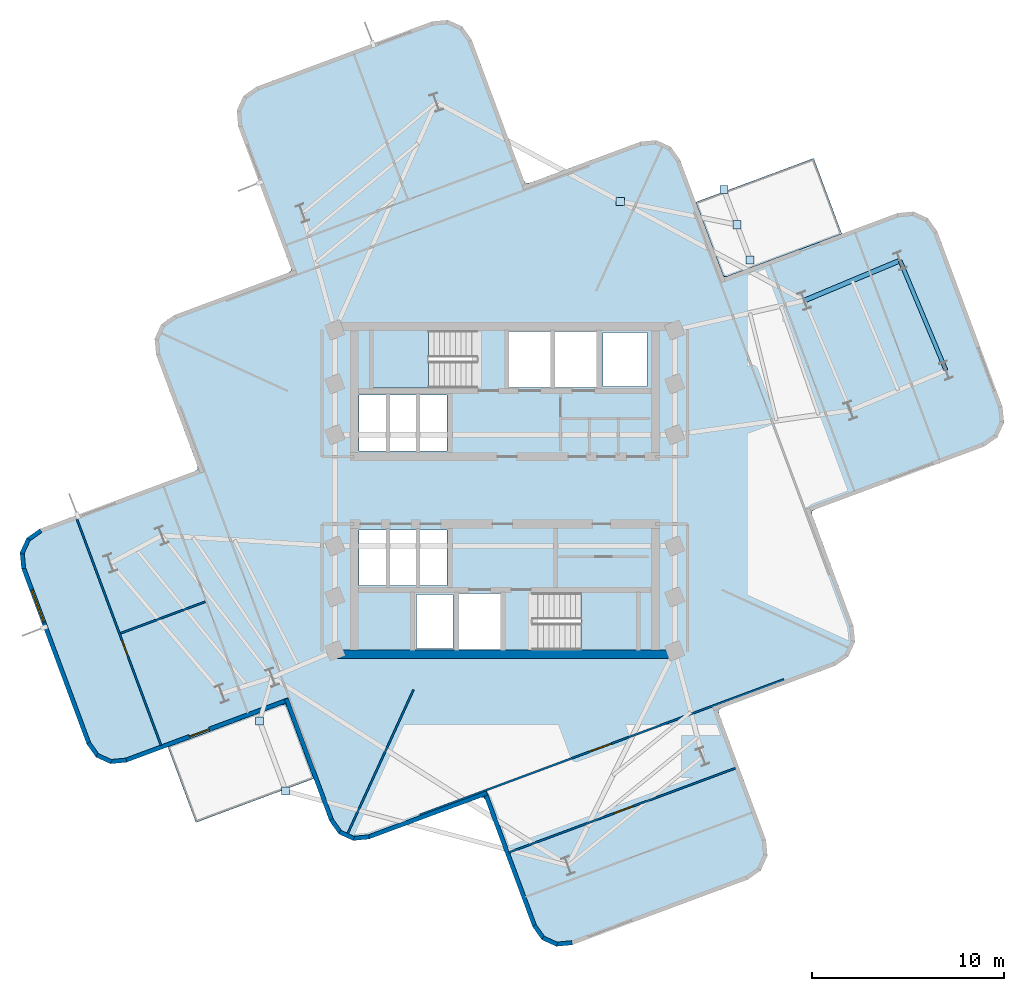
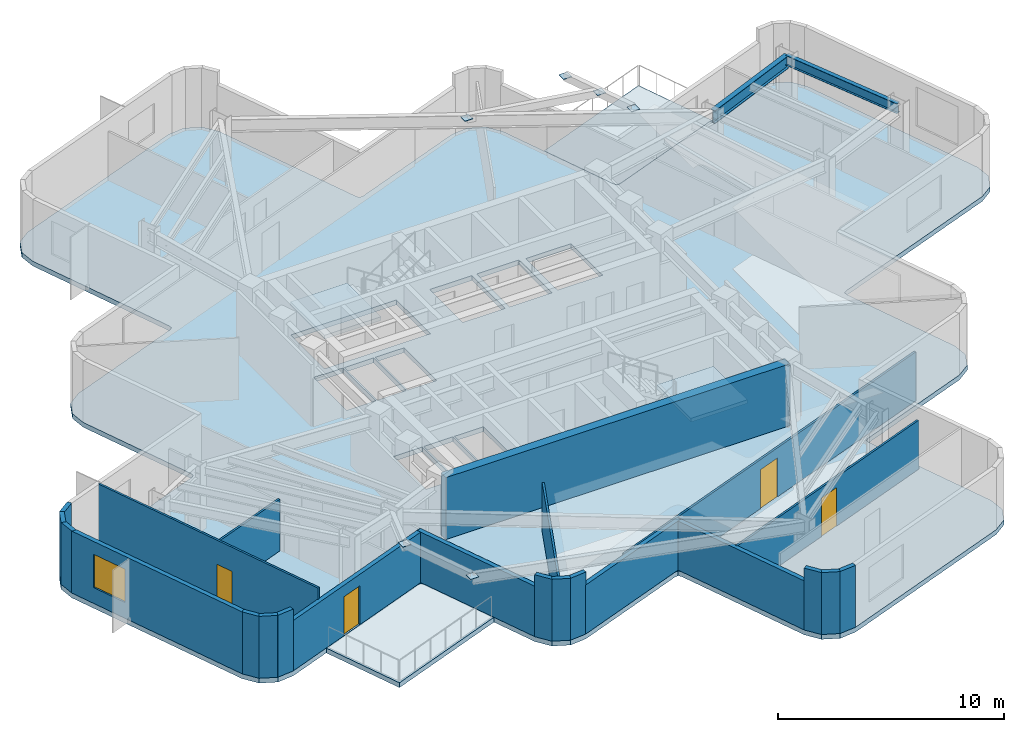
# One storey, part 2 of 8: 23 walls, 6 plates, 5 slabs, 4 doors, 2 beams, 1 window, 5 openings, 2 elements without a shape of their own.
"""IFC4 building model written with IfcOpenShell, lengths in metres."""

from ifc_helpers import new_model, si_unit, direction, frame, frame_2d, origin, origin_2d, place, context, subcontext, project, spatial, polyline, rectangle, i_section, outline, extrude, material, layer, layer_set, material_profile, profile_set, type_object, element, fill, aggregate, save


model = new_model("IFC4")

# Units and contexts
model_context = context("Model", 3, precision=1e-05, world=origin(), true_north=direction((0.0, 1.0)))
body_context = subcontext(model_context, "Body", "Model", "MODEL_VIEW")
ifc_project = project(units=[si_unit("LENGTHUNIT", "METRE"), si_unit("AREAUNIT", "SQUARE_METRE"), si_unit("VOLUMEUNIT", "CUBIC_METRE"), si_unit("PLANEANGLEUNIT", "RADIAN"), si_unit("MASSUNIT", "GRAM", prefix="KILO")], contexts=[model_context])

# Site, building, storey
site_placement = place(None, origin())
site = spatial("IfcSite", under=ifc_project, at=site_placement, CompositionType="ELEMENT")
building_placement = place(site_placement, origin())
building = spatial("IfcBuilding", under=site, at=building_placement, Name="Solmarez Civic Tower", CompositionType="ELEMENT")
storey_placement = place(building_placement, frame((0.0, 0.0, 166.679931640625)))
storey = spatial("IfcBuildingStorey", under=building, at=storey_placement, Name="L44", CompositionType="ELEMENT", Elevation=166.679931640625)

# Beams
ifc_material_1 = material(Name="Steel S355", Category="steel")
ifc_material_profile_1 = material_profile(ifc_material_1, i_section(OverallWidth=0.25390625, OverallDepth=0.68798828125, WebThickness=0.01318359375, FlangeThickness=0.02099609375, at=origin_2d()), Name="W27X102")
ifc_profile_set_1 = profile_set([ifc_material_profile_1], Name="Steel S355")
beam_type_1 = type_object("IfcBeamType", Name="BM-PR-W27X102", PredefinedType="BEAM", material=ifc_profile_set_1)
beam_1_placement = place(storey_placement, frame((15.593994140625, 9.883056640625, 2.99609375), z_axis=(0.922538326171, 0.385905476438, 0.0), x_axis=(-0.385905476438, 0.922538326171, 0.0)))
element("IfcBeam", 1, at=beam_1_placement, inside=storey, type_object=beam_type_1, Name="L44 Primary Floor Beam BM-L44-EA-R2B", PredefinedType="BEAM", context=body_context, shape_type="SweptSolid", body=[
    extrude(i_section(OverallWidth=0.25390625, OverallDepth=0.68798828125, WebThickness=0.01318359375, FlangeThickness=0.02099609375, at=origin_2d()), origin(), (0.0, 0.0, 1.0), 5.400146484375),
])
ifc_material_profile_2 = material_profile(ifc_material_1, i_section(OverallWidth=0.2109375, OverallDepth=0.5390625, WebThickness=0.01171875, FlangeThickness=0.018798828125, at=origin_2d()), Name="W21X73")
ifc_profile_set_2 = profile_set([ifc_material_profile_2], Name="Steel S355")
beam_type_2 = type_object("IfcBeamType", Name="BM-SP-W21X73", PredefinedType="SPANDREL", material=ifc_profile_set_2)
beam_2_placement = place(storey_placement, frame((22.968017578125, 6.248046875, 3.071044921875), z_axis=(-0.385876218946, 0.922550564279, 0.0), x_axis=(-0.922550564279, -0.385876218946, 0.0)))
element("IfcBeam", 2, at=beam_2_placement, inside=storey, type_object=beam_type_2, Name="L44 Perimeter Spandrel Beam BM-L44-EA-T2", PredefinedType="SPANDREL", context=body_context, shape_type="SweptSolid", body=[
    extrude(i_section(OverallWidth=0.2109375, OverallDepth=0.5390625, WebThickness=0.01171875, FlangeThickness=0.018798828125, at=origin_2d()), origin(), (0.0, 0.0, 1.0), 6.19921875),
])

# Plates
ifc_layer_1 = layer(ifc_material_1, 0.02392578125)
ifc_layer_set_1 = layer_set([ifc_layer_1], Name="Steel S355")
plate_type = type_object("IfcPlateType", Name="PLT-CAP-380", PredefinedType="USERDEFINED", material=ifc_layer_set_1)
for number, where, z_axis, x_axis, name in (
    (3, (12.76708984375, 12.0029296875, 3.128173828125), (0.0, 0.0, 1.0), (1.0, 0.0, 0.0), "Steel Member End Cap Plate CAP-BM-L44-BALC-NEE-0"),
    (4, (11.406982421875, 15.657958984375, 3.128173828125), (0.0, 0.0, 1.0), (1.0, 0.0, 0.0), "Steel Member End Cap Plate CAP-BM-L44-BALC-NEE-1"),
    (5, (6.011962890625, 15.044921875, 3.128173828125), (0.0, 0.0, 1.0), (1.0, 0.0, 0.0), "Steel Member End Cap Plate CAP-BM-L44-BALC-NEM-0"),
    (6, (12.0869140625, 13.8310546875, 3.128173828125), (0.0, 0.0, 1.0), (1.0, 0.0, 0.0), "Steel Member End Cap Plate CAP-BM-L44-BALC-NEM-1"),
    (7, (-12.76708984375, -12.0029296875, 3.128173828125), (0.0, 0.0, 1.0), (1.0, 0.0, 0.0), "Steel Member End Cap Plate CAP-BM-L44-BALC-SWE-0"),
    (8, (-11.406982421875, -15.657958984375, 3.128173828125), (0.0, 0.0, 1.0), (1.0, 0.0, 0.0), "Steel Member End Cap Plate CAP-BM-L44-BALC-SWE-1"),
):
    element("IfcPlate", number, at=place(storey_placement, frame(where, z_axis=z_axis, x_axis=x_axis)), inside=storey, type_object=plate_type, Name=name, ObjectType="CAP_PLATE", PredefinedType="USERDEFINED", context=body_context, shape_type="SweptSolid", body=[
        extrude(rectangle(XDim=0.419921875, YDim=0.419921875, at=origin_2d()), origin(), (0.0, 0.0, 1.0), 0.02392578125),
    ])

# Stair, slab
ifc_material_2 = material(Name="Concrete C50/60", Category="concrete")
stair_type = type_object("IfcStairType", Name="STAIR-DOGLEG-140W-20R-1800", PredefinedType="HALF_TURN_STAIR", material=ifc_material_2)
stair_1_placement = place(storey_placement, origin())
stair_1 = element("IfcStair", 9, at=stair_1_placement, inside=storey, type_object=stair_type, Name="L44 North Core Protected Exit Stair ST-1", PredefinedType="HALF_TURN_STAIR")
ifc_layer_2 = layer(ifc_material_2, 0.199951171875)
ifc_layer_set_2 = layer_set([ifc_layer_2], Name="Concrete C50/60")
slab_type_1 = type_object("IfcSlabType", Name="SLAB-LANDING-200", PredefinedType="LANDING", material=ifc_layer_set_2)
slab_1_placement = place(storey_placement, frame((0.0, 0.0, 1.60009765625)))
slab_1 = element("IfcSlab", 10, at=slab_1_placement, type_object=slab_type_1, Name="ST-1 landing 1", PredefinedType="LANDING", context=body_context, shape_type="SweptSolid", body=[
    extrude(outline(polyline([(-3.969970703125, 8.320068359375), (-6.85009765625, 8.320068359375), (-6.85009765625, 5.320068359375), (-3.969970703125, 5.320068359375), (-3.969970703125, 8.320068359375)])), origin(), (0.0, 0.0, 1.0), 0.199951171875),
])
aggregate(stair_1, [slab_1])

stair_2_placement = place(storey_placement, origin())
stair_2 = element("IfcStair", 11, at=stair_2_placement, inside=storey, type_object=stair_type, Name="L44 South Core Protected Exit Stair ST-2", PredefinedType="HALF_TURN_STAIR")
slab_2_placement = place(storey_placement, frame((0.0, 0.0, 1.60009765625)))
slab_2 = element("IfcSlab", 12, at=slab_2_placement, type_object=slab_type_1, Name="ST-2 landing 1", PredefinedType="LANDING", context=body_context, shape_type="SweptSolid", body=[
    extrude(outline(polyline([(3.969970703125, -8.320068359375), (6.85009765625, -8.320068359375), (6.85009765625, -5.320068359375), (3.969970703125, -5.320068359375), (3.969970703125, -8.320068359375)])), origin(), (0.0, 0.0, 1.0), 0.199951171875),
])
aggregate(stair_2, [slab_2])

# Slabs
ifc_layer_3 = layer(ifc_material_2, 0.260009765625)
ifc_layer_set_3 = layer_set([ifc_layer_3], Name="Concrete C50/60")
slab_type_2 = type_object("IfcSlabType", Name="SLAB-TOWER-260", PredefinedType="FLOOR", material=ifc_layer_set_3)
slab_3_placement = place(storey_placement, frame((0.0, 0.0, -0.260009765625)))
element("IfcSlab", 13, at=slab_3_placement, inside=storey, type_object=slab_type_2, Name="L44 Structural Slab", PredefinedType="FLOOR", context=body_context, shape_type="SweptSolid", body=[
    extrude(outline(polyline([(-11.3330078125, -11.26806640625), (-9.123046875, -17.2099609375), (-8.64404296875, -17.885009765625), (-7.89111328125, -18.22900390625), (-7.06591796875, -18.15087890625), (-1.27392578125, -15.998046875), (-1.10302734375, -15.98095703125), (-1.0029296875, -16.1220703125), (1.449951171875, -22.718994140625), (1.929931640625, -23.39404296875), (2.68310546875, -23.739013671875), (3.508056640625, -23.660888671875), (12.656005859375, -20.259033203125), (13.3310546875, -19.779052734375), (13.675048828125, -19.02587890625), (13.596923828125, -18.201904296875), (11.14404296875, -11.60400390625), (11.1279296875, -11.43310546875), (11.26806640625, -11.3330078125), (17.2099609375, -9.123046875), (17.885009765625, -8.64404296875), (18.22900390625, -7.89111328125), (18.15087890625, -7.06591796875), (15.998046875, -1.27392578125), (15.98095703125, -1.10302734375), (16.1220703125, -1.0029296875), (24.968994140625, 2.287109375), (25.64404296875, 2.76708984375), (25.989013671875, 3.52001953125), (25.910888671875, 4.343994140625), (22.509033203125, 13.491943359375), (22.029052734375, 14.1669921875), (21.27587890625, 14.511962890625), (20.450927734375, 14.43408203125), (11.60400390625, 11.14404296875), (11.43310546875, 11.1279296875), (11.3330078125, 11.26806640625), (9.123046875, 17.2099609375), (8.64404296875, 17.885009765625), (7.89111328125, 18.22900390625), (7.06591796875, 18.15087890625), (1.27392578125, 15.998046875), (1.10302734375, 15.98095703125), (1.0029296875, 16.1220703125), (-1.72900390625, 23.468994140625), (-2.208984375, 24.14404296875), (-2.9619140625, 24.489013671875), (-3.787109375, 24.410888671875), (-12.93408203125, 21.009033203125), (-13.610107421875, 20.529052734375), (-13.9541015625, 19.77587890625), (-13.8759765625, 18.951904296875), (-11.14404296875, 11.60400390625), (-11.1279296875, 11.43310546875), (-11.26806640625, 11.3330078125), (-17.2099609375, 9.123046875), (-17.885009765625, 8.64404296875), (-18.22900390625, 7.89111328125), (-18.15087890625, 7.06591796875), (-15.998046875, 1.27392578125), (-15.98095703125, 1.10302734375), (-16.1220703125, 1.0029296875), (-24.218994140625, -2.008056640625), (-24.89404296875, -2.488037109375), (-25.239013671875, -3.240966796875), (-25.160888671875, -4.06494140625), (-21.759033203125, -13.212890625), (-21.279052734375, -13.887939453125), (-20.52587890625, -14.23291015625), (-19.701904296875, -14.155029296875), (-11.60400390625, -11.14404296875), (-11.43310546875, -11.1279296875), (-11.3330078125, -11.26806640625)]), holes=[polyline([(-1.449951171875, 8.320068359375), (-6.85009765625, 8.320068359375), (-6.85009765625, 5.320068359375), (-1.449951171875, 5.320068359375), (-1.449951171875, 8.320068359375)]), polyline([(1.449951171875, -8.320068359375), (6.85009765625, -8.320068359375), (6.85009765625, -5.320068359375), (1.449951171875, -5.320068359375), (1.449951171875, -8.320068359375)]), polyline([(0.219970703125, 5.360107421875), (2.3798828125, 5.360107421875), (2.3798828125, 8.280029296875), (0.219970703125, 8.280029296875), (0.219970703125, 5.360107421875)]), polyline([(2.6201171875, 5.360107421875), (4.780029296875, 5.360107421875), (4.780029296875, 8.280029296875), (2.6201171875, 8.280029296875), (2.6201171875, 5.360107421875)]), polyline([(-2.3798828125, -8.280029296875), (-0.219970703125, -8.280029296875), (-0.219970703125, -5.360107421875), (-2.3798828125, -5.360107421875), (-2.3798828125, -8.280029296875)]), polyline([(-7.60009765625, -4.9599609375), (-6.1201171875, -4.9599609375), (-6.1201171875, -2.06005859375), (-7.60009765625, -2.06005859375), (-7.60009765625, -4.9599609375)]), polyline([(-6.0400390625, -4.9599609375), (-4.56005859375, -4.9599609375), (-4.56005859375, -2.06005859375), (-6.0400390625, -2.06005859375), (-6.0400390625, -4.9599609375)]), polyline([(-4.47998046875, -4.9599609375), (-3.0, -4.9599609375), (-3.0, -2.06005859375), (-4.47998046875, -2.06005859375), (-4.47998046875, -4.9599609375)]), polyline([(-7.60009765625, 2.06005859375), (-6.1201171875, 2.06005859375), (-6.1201171875, 4.9599609375), (-7.60009765625, 4.9599609375), (-7.60009765625, 2.06005859375)]), polyline([(-6.0400390625, 2.06005859375), (-4.56005859375, 2.06005859375), (-4.56005859375, 4.9599609375), (-6.0400390625, 4.9599609375), (-6.0400390625, 2.06005859375)]), polyline([(-4.47998046875, 2.06005859375), (-3.0, 2.06005859375), (-3.0, 4.9599609375), (-4.47998046875, 4.9599609375), (-4.47998046875, 2.06005859375)]), polyline([(5.10009765625, 5.419921875), (7.39990234375, 5.419921875), (7.39990234375, 8.219970703125), (5.10009765625, 8.219970703125), (5.10009765625, 5.419921875)]), polyline([(-4.60009765625, -8.219970703125), (-2.699951171875, -8.219970703125), (-2.699951171875, -5.419921875), (-4.60009765625, -5.419921875), (-4.60009765625, -8.219970703125)])]), origin(), (0.0, 0.0, 1.0), 0.260009765625),
])
slab_4_placement = place(storey_placement, frame((0.0, 0.0, -0.260009765625)))
element("IfcSlab", 14, at=slab_4_placement, inside=storey, type_object=slab_type_2, Name="L44 Re-entrant Corner Winter-Garden Balcony NE", PredefinedType="FLOOR", context=body_context, shape_type="SweptSolid", body=[
    extrude(outline(polyline([(9.944091796875, 15.008056640625), (11.3349609375, 11.26904296875), (11.43408203125, 11.1298828125), (11.60400390625, 11.14599609375), (17.544921875, 13.35498046875), (16.08203125, 17.2900390625), (9.944091796875, 15.008056640625)])), origin(), (0.0, 0.0, 1.0), 0.260009765625),
])
slab_5_placement = place(storey_placement, frame((0.0, 0.0, -0.260009765625)))
element("IfcSlab", 15, at=slab_5_placement, inside=storey, type_object=slab_type_2, Name="L44 Re-entrant Corner Winter-Garden Balcony SW", PredefinedType="FLOOR", context=body_context, shape_type="SweptSolid", body=[
    extrude(outline(polyline([(-9.944091796875, -15.008056640625), (-11.3349609375, -11.26904296875), (-11.43408203125, -11.1298828125), (-11.60400390625, -11.14599609375), (-17.544921875, -13.35498046875), (-16.08203125, -17.2900390625), (-9.944091796875, -15.008056640625)])), origin(), (0.0, 0.0, 1.0), 0.260009765625),
])

# Wall
ifc_layer_4 = layer(ifc_material_2, 0.449951171875)
ifc_layer_set_4 = layer_set([ifc_layer_4], Name="Concrete C50/60")
wall_type_1 = type_object("IfcWallType", Name="WALL-CORE-450", PredefinedType="SHEAR", material=ifc_layer_set_4)
wall_1_placement = place(storey_placement, frame((8.780029296875, -8.534912109375, 0.0), z_axis=(0.0, 0.0, 1.0), x_axis=(-1.0, 0.0, 0.0)))
element("IfcWall", 16, at=wall_1_placement, inside=storey, type_object=wall_type_1, Name="L44 Split-Core Structural Wall SCW-S-L44", PredefinedType="SHEAR", context=body_context, shape_type="SweptSolid", body=[
    extrude(rectangle(XDim=17.56005859375, YDim=0.449951171875, at=frame_2d((8.780029296875, 0.0))), origin(), (0.0, 0.0, 1.0), 3.340087890625),
])

# Wall, opening, door
ifc_material_3 = material(Name="Precast concrete C40/50", Category="concrete")
ifc_layer_5 = layer(ifc_material_3, 0.219970703125)
ifc_layer_set_5 = layer_set([ifc_layer_5], Name="Precast concrete C40/50")
wall_type_2 = type_object("IfcWallType", Name="WALL-EXT-220", PredefinedType="SOLIDWALL", material=ifc_layer_set_5)
wall_2_placement = place(storey_placement, frame((-11.260009765625, -10.89794921875, 0.0), z_axis=(0.0, 0.0, 1.0), x_axis=(-0.937248687931, -0.348661579431, 0.0)))
wall_2 = element("IfcWall", 17, at=wall_2_placement, inside=storey, type_object=wall_type_2, Name="L44 Exterior Precast Wall 2", PredefinedType="SOLIDWALL", context=body_context, shape_type="SweptSolid", body=[
    extrude(rectangle(XDim=9.057373046875, YDim=0.219970703125, at=frame_2d((4.52880859375, 0.0))), origin(), (0.0, 0.0, 1.0), 2.719970703125),
])
opening_1_placement = place(wall_2_placement, frame((4.39990234375, 0.0, 0.0)))
opening_1 = element("IfcOpeningElement", 18, at=opening_1_placement, cuts=wall_2, Name="Opening D-06", PredefinedType="OPENING", context=body_context, shape_type="SweptSolid", body=[
    extrude(rectangle(XDim=1.10009765625, YDim=2.10009765625, at=frame_2d((0.550048828125, 1.050048828125))), frame((0.0, 0.119873046875, 0.0), z_axis=(0.0, -1.0, 0.0), x_axis=(1.0, 0.0, 0.0)), (0.0, 0.0, 1.0), 0.239990234375),
])
ifc_material_4 = material(Name="Bronze Anodised Aluminium Glazed Terrace Door", Category="aluminium")
door_type_1 = type_object("IfcDoorType", Name="DOOR-TERR-1100", OperationType="NOTDEFINED", PredefinedType="DOOR", material=ifc_material_4)
door_1_placement = place(opening_1_placement, origin())
door_1 = element("IfcDoor", 19, at=door_1_placement, inside=storey, type_object=door_type_1, Name="L44 Outdoor Terrace Glazed Door", OperationType="SINGLE_SWING_RIGHT", OverallHeight=2.10009765625, OverallWidth=1.10009765625, PredefinedType="DOOR", context=body_context, shape_type="SweptSolid", body=[
    extrude(rectangle(XDim=1.10009765625, YDim=2.10009765625, at=frame_2d((0.550048828125, 1.050048828125))), frame((0.0, 0.02490234375, 0.0), z_axis=(0.0, -1.0, 0.0), x_axis=(1.0, 0.0, 0.0)), (0.0, 0.0, 1.0), 0.050048828125),
])
fill(opening_1, door_1)

# Walls
wall_3_placement = place(storey_placement, frame((-19.700927734375, -14.044921875, 0.0), z_axis=(0.0, 0.0, 1.0), x_axis=(-0.99561041007, -0.093594398126, 0.0)))
element("IfcWall", 20, at=wall_3_placement, inside=storey, type_object=wall_type_2, Name="L44 Exterior Precast Wall 3", PredefinedType="SOLIDWALL", context=body_context, shape_type="SweptSolid", body=[
    extrude(rectangle(XDim=0.834716796875, YDim=0.219970703125, at=frame_2d((0.41748046875, 0.0))), origin(), (0.0, 0.0, 1.0), 3.340087890625),
])
wall_4_placement = place(storey_placement, frame((-20.48388671875, -14.131103515625, 0.0), z_axis=(0.0, 0.0, 1.0), x_axis=(-0.909927497245, 0.41476734413, 0.0)))
element("IfcWall", 21, at=wall_4_placement, inside=storey, type_object=wall_type_2, Name="L44 Exterior Precast Wall 4", PredefinedType="SOLIDWALL", context=body_context, shape_type="SweptSolid", body=[
    extrude(rectangle(XDim=0.820068359375, YDim=0.219970703125, at=frame_2d((0.41015625, 0.0))), origin(), (0.0, 0.0, 1.0), 3.340087890625),
])
wall_5_placement = place(storey_placement, frame((-21.193115234375, -13.821044921875, 0.0), z_axis=(0.0, 0.0, 1.0), x_axis=(-0.578269277984, 0.815845967165, 0.0)))
element("IfcWall", 22, at=wall_5_placement, inside=storey, type_object=wall_type_2, Name="L44 Exterior Precast Wall 5", PredefinedType="SOLIDWALL", context=body_context, shape_type="SweptSolid", body=[
    extrude(rectangle(XDim=0.83349609375, YDim=0.219970703125, at=frame_2d((0.416748046875, 0.0))), origin(), (0.0, 0.0, 1.0), 3.340087890625),
])

# Wall, opening, window
wall_6_placement = place(storey_placement, frame((-21.652099609375, -13.18408203125, 0.0), z_axis=(0.0, 0.0, 1.0), x_axis=(-0.348670987183, 0.937245188143, 0.0)))
wall_6 = element("IfcWall", 23, at=wall_6_placement, inside=storey, type_object=wall_type_2, Name="L44 Exterior Precast Wall 6", PredefinedType="SOLIDWALL", context=body_context, shape_type="SweptSolid", body=[
    extrude(rectangle(XDim=9.77978515625, YDim=0.219970703125, at=frame_2d((4.889892578125, 0.0))), origin(), (0.0, 0.0, 1.0), 3.340087890625),
])
opening_2_placement = place(wall_6_placement, frame((6.72802734375, 0.0, 0.85009765625)))
opening_2 = element("IfcOpeningElement", 24, at=opening_2_placement, cuts=wall_6, Name="Opening W-08", PredefinedType="OPENING", context=body_context, shape_type="SweptSolid", body=[
    extrude(rectangle(XDim=1.800048828125, YDim=1.800048828125, at=frame_2d((0.89990234375, 0.89990234375))), frame((0.0, 0.119873046875, 0.0), z_axis=(0.0, -1.0, 0.0), x_axis=(1.0, 0.0, 0.0)), (0.0, 0.0, 1.0), 0.239990234375),
])
ifc_material_5 = material(Name="Solar Control Bronze-Tinted Insulating Glass", Category="glass")
window_type = type_object("IfcWindowType", Name="WIN-1800X1800", PartitioningType="SINGLE_PANEL", PredefinedType="WINDOW", material=ifc_material_5)
window_placement = place(opening_2_placement, origin())
window = element("IfcWindow", 25, at=window_placement, inside=storey, type_object=window_type, Name="L44 Exterior Facade Window 6", OverallHeight=1.800048828125, OverallWidth=1.800048828125, PartitioningType="SINGLE_PANEL", PredefinedType="WINDOW", context=body_context, shape_type="SweptSolid", body=[
    extrude(rectangle(XDim=1.800048828125, YDim=1.800048828125, at=frame_2d((0.89990234375, 0.89990234375))), frame((0.0, 0.030029296875, 0.0), z_axis=(0.0, -1.0, 0.0), x_axis=(1.0, 0.0, 0.0)), (0.0, 0.0, 1.0), 0.06005859375),
])
fill(opening_2, window)

# Walls
wall_7_placement = place(storey_placement, frame((-25.051025390625, -4.06591796875, 0.0), z_axis=(0.0, 0.0, 1.0), x_axis=(-0.093331645357, 0.995635075705, 0.0)))
element("IfcWall", 26, at=wall_7_placement, inside=storey, type_object=wall_type_2, Name="L44 Exterior Precast Wall 7", PredefinedType="SOLIDWALL", context=body_context, shape_type="SweptSolid", body=[
    extrude(rectangle(XDim=0.83447265625, YDim=0.219970703125, at=frame_2d((0.417236328125, 0.0))), origin(), (0.0, 0.0, 1.0), 3.340087890625),
])
wall_8_placement = place(storey_placement, frame((-25.136962890625, -3.282958984375, 0.0), z_axis=(0.0, 0.0, 1.0), x_axis=(0.415865283719, 0.909426228892, 0.0)))
element("IfcWall", 27, at=wall_8_placement, inside=storey, type_object=wall_type_2, Name="L44 Exterior Precast Wall 8", PredefinedType="SOLIDWALL", context=body_context, shape_type="SweptSolid", body=[
    extrude(rectangle(XDim=0.820068359375, YDim=0.219970703125, at=frame_2d((0.41015625, 0.0))), origin(), (0.0, 0.0, 1.0), 3.340087890625),
])
wall_9_placement = place(storey_placement, frame((-24.825927734375, -2.573974609375, 0.0), z_axis=(0.0, 0.0, 1.0), x_axis=(0.815453569677, 0.578822490666, 0.0)))
element("IfcWall", 28, at=wall_9_placement, inside=storey, type_object=wall_type_2, Name="L44 Exterior Precast Wall 9", PredefinedType="SOLIDWALL", context=body_context, shape_type="SweptSolid", body=[
    extrude(rectangle(XDim=0.83251953125, YDim=0.219970703125, at=frame_2d((0.416259765625, 0.0))), origin(), (0.0, 0.0, 1.0), 3.340087890625),
])
wall_10_placement = place(storey_placement, frame((3.508056640625, -23.551025390625, 0.0), z_axis=(0.0, 0.0, 1.0), x_axis=(-0.995637623159, -0.09330446586, 0.0)))
element("IfcWall", 29, at=wall_10_placement, inside=storey, type_object=wall_type_2, Name="L44 Exterior Precast Wall 61", PredefinedType="SOLIDWALL", context=body_context, shape_type="SweptSolid", body=[
    extrude(rectangle(XDim=0.834716796875, YDim=0.219970703125, at=frame_2d((0.41748046875, 0.0))), origin(), (0.0, 0.0, 1.0), 3.340087890625),
])
wall_11_placement = place(storey_placement, frame((2.72509765625, -23.636962890625, 0.0), z_axis=(0.0, 0.0, 1.0), x_axis=(-0.909834845619, 0.414970545577, 0.0)))
element("IfcWall", 30, at=wall_11_placement, inside=storey, type_object=wall_type_2, Name="L44 Exterior Precast Wall 62", PredefinedType="SOLIDWALL", context=body_context, shape_type="SweptSolid", body=[
    extrude(rectangle(XDim=0.81884765625, YDim=0.219970703125, at=frame_2d((0.409423828125, 0.0))), origin(), (0.0, 0.0, 1.0), 3.340087890625),
])
wall_12_placement = place(storey_placement, frame((2.01708984375, -23.326904296875, 0.0), z_axis=(0.0, 0.0, 1.0), x_axis=(-0.579242960811, 0.815154949903, 0.0)))
element("IfcWall", 31, at=wall_12_placement, inside=storey, type_object=wall_type_2, Name="L44 Exterior Precast Wall 63", PredefinedType="SOLIDWALL", context=body_context, shape_type="SweptSolid", body=[
    extrude(rectangle(XDim=0.834228515625, YDim=0.219970703125, at=frame_2d((0.4169921875, 0.0))), origin(), (0.0, 0.0, 1.0), 3.340087890625),
])
wall_13_placement = place(storey_placement, frame((1.556884765625, -22.68994140625, 0.0), z_axis=(0.0, 0.0, 1.0), x_axis=(-0.348607320852, 0.937268870628, 0.0)))
element("IfcWall", 32, at=wall_13_placement, inside=storey, type_object=wall_type_2, Name="L44 Exterior Precast Wall 64", PredefinedType="SOLIDWALL", context=body_context, shape_type="SweptSolid", body=[
    extrude(rectangle(XDim=7.457763671875, YDim=0.219970703125, at=frame_2d((3.72900390625, 0.0))), origin(), (0.0, 0.0, 1.0), 2.64404296875),
])
wall_14_placement = place(storey_placement, frame((-0.929931640625, -15.7509765625, 0.0), z_axis=(0.0, 0.0, 1.0), x_axis=(-0.937223257246, -0.348729932868, 0.0)))
element("IfcWall", 33, at=wall_14_placement, inside=storey, type_object=wall_type_2, Name="L44 Exterior Precast Wall 67", PredefinedType="SOLIDWALL", context=body_context, shape_type="SweptSolid", body=[
    extrude(rectangle(XDim=6.598388671875, YDim=0.219970703125, at=frame_2d((3.29931640625, 0.0))), origin(), (0.0, 0.0, 1.0), 2.64404296875),
])
wall_15_placement = place(storey_placement, frame((-7.06591796875, -18.041015625, 0.0), z_axis=(0.0, 0.0, 1.0), x_axis=(-0.995637623159, -0.09330446586, 0.0)))
element("IfcWall", 34, at=wall_15_placement, inside=storey, type_object=wall_type_2, Name="L44 Exterior Precast Wall 68", PredefinedType="SOLIDWALL", context=body_context, shape_type="SweptSolid", body=[
    extrude(rectangle(XDim=0.834716796875, YDim=0.219970703125, at=frame_2d((0.41748046875, 0.0))), origin(), (0.0, 0.0, 1.0), 3.340087890625),
])
wall_16_placement = place(storey_placement, frame((-7.84912109375, -18.126953125, 0.0), z_axis=(0.0, 0.0, 1.0), x_axis=(-0.909783489843, 0.415083126143, 0.0)))
element("IfcWall", 35, at=wall_16_placement, inside=storey, type_object=wall_type_2, Name="L44 Exterior Precast Wall 69", PredefinedType="SOLIDWALL", context=body_context, shape_type="SweptSolid", body=[
    extrude(rectangle(XDim=0.81884765625, YDim=0.219970703125, at=frame_2d((0.409423828125, 0.0))), origin(), (0.0, 0.0, 1.0), 3.340087890625),
])
wall_17_placement = place(storey_placement, frame((-8.556884765625, -17.81689453125, 0.0), z_axis=(0.0, 0.0, 1.0), x_axis=(-0.579017424022, 0.815315167698, 0.0)))
element("IfcWall", 36, at=wall_17_placement, inside=storey, type_object=wall_type_2, Name="L44 Exterior Precast Wall 70", PredefinedType="SOLIDWALL", context=body_context, shape_type="SweptSolid", body=[
    extrude(rectangle(XDim=0.832763671875, YDim=0.219970703125, at=frame_2d((0.41650390625, 0.0))), origin(), (0.0, 0.0, 1.0), 3.340087890625),
])
wall_18_placement = place(storey_placement, frame((-9.01611328125, -17.180908203125, 0.0), z_axis=(0.0, 0.0, 1.0), x_axis=(-0.34874699486, 0.937216908499, 0.0)))
element("IfcWall", 37, at=wall_18_placement, inside=storey, type_object=wall_type_2, Name="L44 Exterior Precast Wall 71", PredefinedType="SOLIDWALL", context=body_context, shape_type="SweptSolid", body=[
    extrude(rectangle(XDim=6.75830078125, YDim=0.219970703125, at=frame_2d((3.379150390625, 0.0))), origin(), (0.0, 0.0, 1.0), 2.719970703125),
])
ifc_material_6 = material(Name="Gypsum Board Acoustic Steel-Stud Partition", Category="steel")
ifc_layer_6 = layer(ifc_material_6, 0.10009765625)
ifc_layer_set_6 = layer_set([ifc_layer_6], Name="Gypsum Board Acoustic Steel-Stud Partition")
wall_type_3 = type_object("IfcWallType", Name="WALL-INT-PART-100", PredefinedType="PARTITIONING", material=ifc_layer_set_6)
wall_19_placement = place(storey_placement, frame((-4.7529296875, -10.3798828125, 0.0), z_axis=(0.0, 0.0, 1.0), x_axis=(-0.416191484634, -0.909276991966, 0.0)))
element("IfcWall", 38, at=wall_19_placement, inside=storey, type_object=wall_type_3, Name="L44 Interior Partition PT-L44-QDIV-3", PredefinedType="PARTITIONING", context=body_context, shape_type="SweptSolid", body=[
    extrude(rectangle(XDim=8.25830078125, YDim=0.10009765625, at=frame_2d((4.129150390625, 0.0))), origin(), (0.0, 0.0, 1.0), 2.64404296875),
])
wall_20_placement = place(storey_placement, frame((-15.595947265625, -5.800048828125, 0.0), z_axis=(0.0, 0.0, 1.0), x_axis=(-0.937258557626, -0.348635047229, 0.0)))
element("IfcWall", 39, at=wall_20_placement, inside=storey, type_object=wall_type_3, Name="L44 Interior Partition PT-L44-W-MM", PredefinedType="PARTITIONING", context=body_context, shape_type="SweptSolid", body=[
    extrude(rectangle(XDim=4.700927734375, YDim=0.10009765625, at=frame_2d((2.3505859375, 0.0))), origin(), (0.0, 0.0, 1.0), 2.79296875),
])

# Wall, opening, door
wall_21_placement = place(storey_placement, frame((-17.89208984375, -13.284912109375, 0.0), z_axis=(0.0, 0.0, 1.0), x_axis=(-0.348514653153, 0.937303332192, 0.0)))
wall_21 = element("IfcWall", 40, at=wall_21_placement, inside=storey, type_object=wall_type_3, Name="L44 Interior Partition PT-L44-W-S2", PredefinedType="PARTITIONING", context=body_context, shape_type="SweptSolid", body=[
    extrude(rectangle(XDim=12.59033203125, YDim=0.10009765625, at=frame_2d((6.295166015625, 0.0))), origin(), (0.0, 0.0, 1.0), 3.340087890625),
])
opening_3_placement = place(wall_21_placement, frame((4.93994140625, 0.0, 0.0)))
opening_3 = element("IfcOpeningElement", 41, at=opening_3_placement, cuts=wall_21, Name="Opening D-14", PredefinedType="OPENING", context=body_context, shape_type="SweptSolid", body=[
    extrude(rectangle(XDim=0.860107421875, YDim=2.0400390625, at=frame_2d((0.43017578125, 1.02001953125))), frame((0.0, 0.06005859375, 0.0), z_axis=(0.0, -1.0, 0.0), x_axis=(1.0, 0.0, 0.0)), (0.0, 0.0, 1.0), 0.1201171875),
])
ifc_material_7 = material(Name="Timber Storage and Pantry Door", Category="wood")
door_type_2 = type_object("IfcDoorType", Name="DOOR-INT-850", OperationType="NOTDEFINED", PredefinedType="DOOR", material=ifc_material_7)
door_2_placement = place(opening_3_placement, origin())
door_2 = element("IfcDoor", 42, at=door_2_placement, inside=storey, type_object=door_type_2, Name="L44 Breakout Huddle Room Fourth West Door", OperationType="SINGLE_SWING_LEFT", OverallHeight=2.0400390625, OverallWidth=0.860107421875, PredefinedType="DOOR", context=body_context, shape_type="SweptSolid", body=[
    extrude(rectangle(XDim=0.860107421875, YDim=2.0400390625, at=frame_2d((0.43017578125, 1.02001953125))), frame((0.0, 0.02490234375, 0.0), z_axis=(0.0, -1.0, 0.0), x_axis=(1.0, 0.0, 0.0)), (0.0, 0.0, 1.0), 0.050048828125),
])
fill(opening_3, door_2)

wall_22_placement = place(storey_placement, frame((14.52197265625, -9.845947265625, 0.0), z_axis=(0.0, 0.0, 1.0), x_axis=(-0.937292757866, -0.348543090668, 0.0)))
wall_22 = element("IfcWall", 43, at=wall_22_placement, inside=storey, type_object=wall_type_3, Name="L44 Interior Partition PT-L44-S-ENT", PredefinedType="PARTITIONING", context=body_context, shape_type="SweptSolid", body=[
    extrude(rectangle(XDim=20.198486328125, YDim=0.10009765625, at=frame_2d((10.09912109375, 0.0))), origin(), (0.0, 0.0, 1.0), 2.64404296875),
])
opening_4_placement = place(wall_22_placement, frame((9.5791015625, 0.0, 0.0)))
opening_4 = element("IfcOpeningElement", 44, at=opening_4_placement, cuts=wall_22, Name="Opening D-11", PredefinedType="OPENING", context=body_context, shape_type="SweptSolid", body=[
    extrude(rectangle(XDim=1.199951171875, YDim=2.10009765625, at=frame_2d((0.60009765625, 1.050048828125))), frame((0.0, 0.06005859375, 0.0), z_axis=(0.0, -1.0, 0.0), x_axis=(1.0, 0.0, 0.0)), (0.0, 0.0, 1.0), 0.1201171875),
])
ifc_material_8 = material(Name="Glazed-Vision Acoustic Chamber Door", Category="wood")
door_type_3 = type_object("IfcDoorType", Name="DOOR-INT-1200", OperationType="NOTDEFINED", PredefinedType="DOOR", material=ifc_material_8)
door_3_placement = place(opening_4_placement, origin())
door_3 = element("IfcDoor", 45, at=door_3_placement, inside=storey, type_object=door_type_3, Name="L44 Staff Tea Pantry First South Door", OperationType="SINGLE_SWING_LEFT", OverallHeight=2.10009765625, OverallWidth=1.199951171875, PredefinedType="DOOR", context=body_context, shape_type="SweptSolid", body=[
    extrude(rectangle(XDim=1.199951171875, YDim=2.10009765625, at=frame_2d((0.60009765625, 1.050048828125))), frame((0.0, 0.02490234375, 0.0), z_axis=(0.0, -1.0, 0.0), x_axis=(1.0, 0.0, 0.0)), (0.0, 0.0, 1.0), 0.050048828125),
])
fill(opening_4, door_3)

wall_23_placement = place(storey_placement, frame((12.009033203125, -14.4609375, 0.0), z_axis=(0.0, 0.0, 1.0), x_axis=(-0.937262231235, -0.348625171066, 0.0)))
wall_23 = element("IfcWall", 46, at=wall_23_placement, inside=storey, type_object=wall_type_3, Name="L44 Interior Partition PT-L44-S-SC1", PredefinedType="PARTITIONING", context=body_context, shape_type="SweptSolid", body=[
    extrude(rectangle(XDim=12.58984375, YDim=0.10009765625, at=frame_2d((6.294921875, 0.0))), origin(), (0.0, 0.0, 1.0), 2.64404296875),
])
opening_5_placement = place(wall_23_placement, frame((5.68994140625, 0.0, 0.0)))
opening_5 = element("IfcOpeningElement", 47, at=opening_5_placement, cuts=wall_23, Name="Opening D-13", PredefinedType="OPENING", context=body_context, shape_type="SweptSolid", body=[
    extrude(rectangle(XDim=1.050048828125, YDim=2.080078125, at=frame_2d((0.52490234375, 1.0400390625))), frame((0.0, 0.06005859375, 0.0), z_axis=(0.0, -1.0, 0.0), x_axis=(1.0, 0.0, 0.0)), (0.0, 0.0, 1.0), 0.1201171875),
])
ifc_material_9 = material(Name="Timber Directorate Office Door", Category="wood")
door_type_4 = type_object("IfcDoorType", Name="DOOR-INT-1050", OperationType="NOTDEFINED", PredefinedType="DOOR", material=ifc_material_9)
door_4_placement = place(opening_5_placement, origin())
door_4 = element("IfcDoor", 48, at=door_4_placement, inside=storey, type_object=door_type_4, Name="L44 Co-Working Policy Workspace South Door", OperationType="SINGLE_SWING_LEFT", OverallHeight=2.080078125, OverallWidth=1.050048828125, PredefinedType="DOOR", context=body_context, shape_type="SweptSolid", body=[
    extrude(rectangle(XDim=1.050048828125, YDim=2.080078125, at=frame_2d((0.52490234375, 1.0400390625))), frame((0.0, 0.02490234375, 0.0), z_axis=(0.0, -1.0, 0.0), x_axis=(1.0, 0.0, 0.0)), (0.0, 0.0, 1.0), 0.050048828125),
])
fill(opening_5, door_4)

save(model, "model.ifc")
